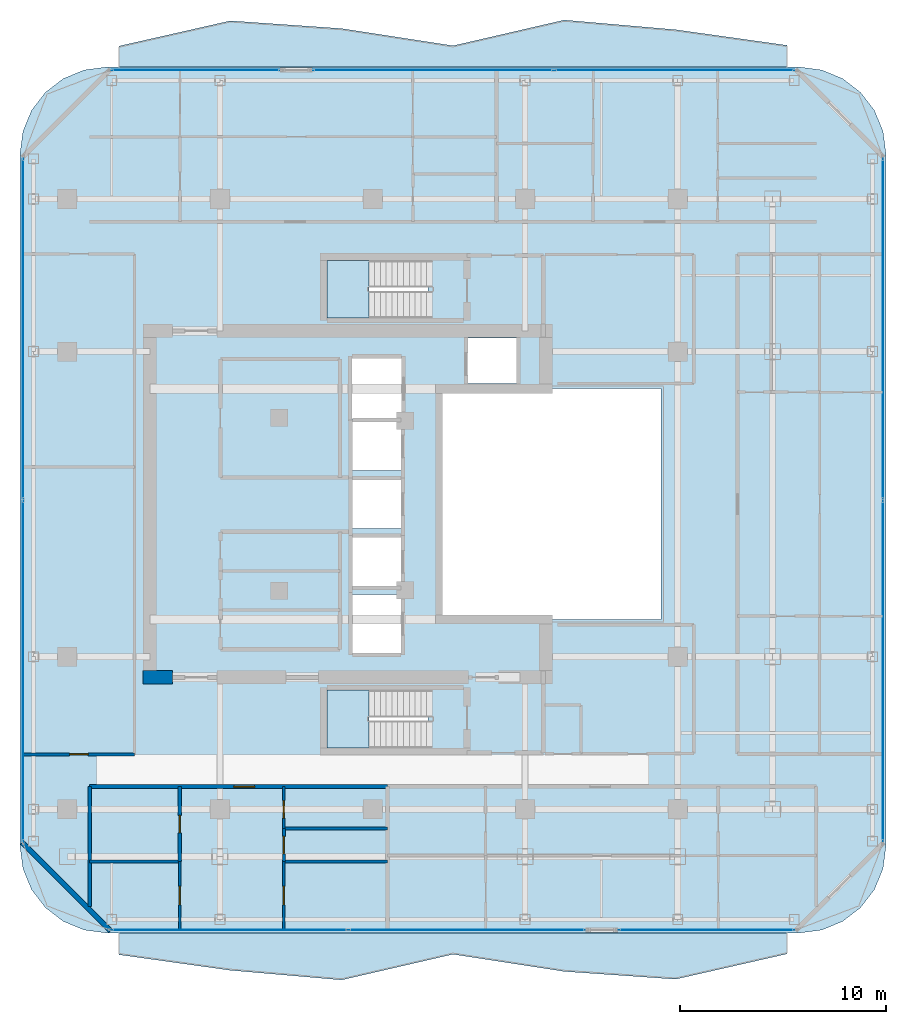
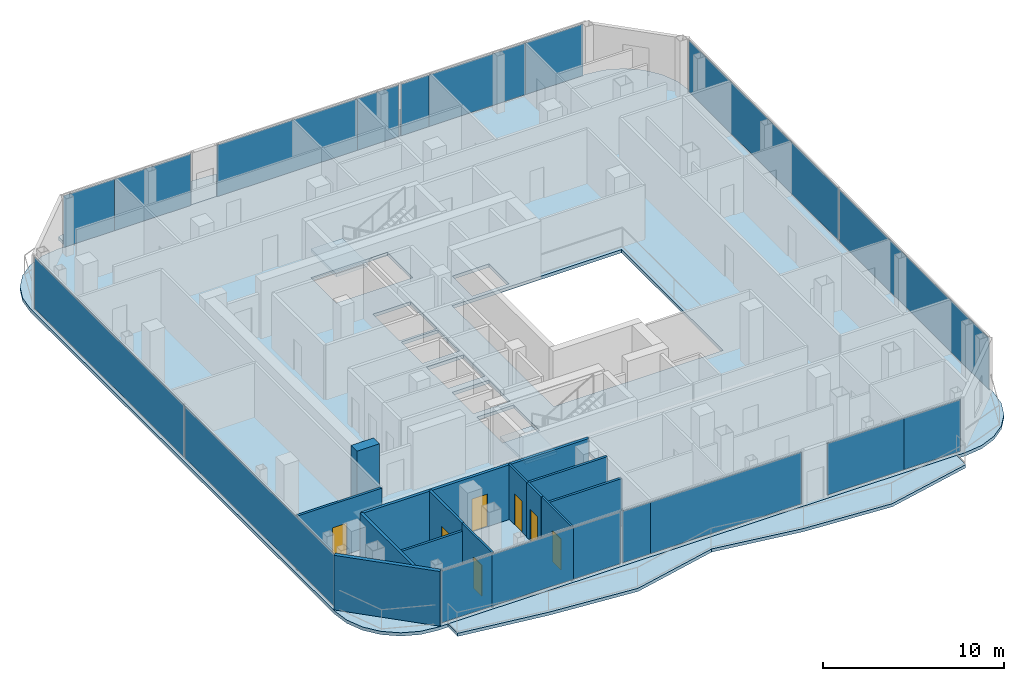
# One storey, part 15 of 22: 18 plates, 13 walls, 7 doors, 5 slabs, 7 openings, 8 elements without a shape of their own.
"""IFC4 building model written with IfcOpenShell, lengths in metres."""

import ifcopenshell
import ifcopenshell.guid

model = None  # the IFC model being written
_history = None  # IfcOwnerHistory: only IFC2X3 demands one
_inside = {}  # id of a spatial element -> (the spatial element, [elements in it])
_under = {}  # id of a project, library or spatial element -> (it, [spatial elements below it])
_declared = {}  # id of a project -> (the project, [libraries it declares])
_typed = {}  # id of a type object -> (the type object, [elements of that type])
_made_of = {}  # id of a material, layer set ... -> (it, [elements and type objects made of it])


def new_model(schema):
    """Start an empty IFC model of exactly this schema.

    Asked for "IFC4X3", IfcOpenShell would pick the latest addendum, in which some entities
    have other attributes; the version numbers below select the first issue.
    IFC2X3 requires an IfcOwnerHistory on every rooted entity: one is made here for all.
    """
    global model, _history
    if schema == "IFC4X3":
        model = ifcopenshell.file(schema_version=(4, 3, 0, 0))
    else:
        model = ifcopenshell.file(schema=schema)
    _inside.clear()
    _under.clear()
    _declared.clear()
    _typed.clear()
    _made_of.clear()
    _history = None
    if model.schema == "IFC2X3":
        org = make("IfcOrganization", Name="unknown")
        user = make(
            "IfcPersonAndOrganization",
            ThePerson=make("IfcPerson", FamilyName="unknown"),
            TheOrganization=org,
        )
        app = make(
            "IfcApplication",
            ApplicationDeveloper=org,
            Version="unknown",
            ApplicationFullName="unknown",
            ApplicationIdentifier="unknown",
        )
        _history = make(
            "IfcOwnerHistory",
            OwningUser=user,
            OwningApplication=app,
            ChangeAction="ADDED",
            CreationDate=0,
        )
    return model


def make(cls, **values):
    """One entity of the class cls with the attributes given. An attribute that is None is left unset."""
    return model.create_entity(
        cls, **{name: value for name, value in values.items() if value is not None}
    )


def rooted(cls, **values):
    """An entity with a GlobalId (a new one), such as an element, a storey or a relation."""
    return make(cls, GlobalId=ifcopenshell.guid.new(), OwnerHistory=_history, **values)


def si_unit(unit_type, name, prefix=None):
    """IfcSIUnit, for example si_unit("LENGTHUNIT", "METRE", prefix="MILLI")."""
    return make("IfcSIUnit", UnitType=unit_type, Prefix=prefix, Name=name)


def assignment(units):
    """IfcUnitAssignment: the units of a project."""
    return None if units is None else make("IfcUnitAssignment", Units=units)


def point(xyz):
    """IfcCartesianPoint."""
    return None if xyz is None else make("IfcCartesianPoint", Coordinates=xyz)


def direction(xyz):
    """IfcDirection."""
    return None if xyz is None else make("IfcDirection", DirectionRatios=xyz)


def frame(location, z_axis=None, x_axis=None):
    """IfcAxis2Placement3D, a coordinate frame: its origin and axes. An axis left out is left unset."""
    return make(
        "IfcAxis2Placement3D",
        Location=point(location),
        Axis=direction(z_axis),
        RefDirection=direction(x_axis),
    )


def frame_2d(location, x_axis=None):
    """IfcAxis2Placement2D, a coordinate frame in the plane: its origin and x axis."""
    return make(
        "IfcAxis2Placement2D", Location=point(location), RefDirection=direction(x_axis)
    )


def origin():
    """The frame at (0, 0, 0) with its axes left unset."""
    return frame((0.0, 0.0, 0.0))


def origin_2d():
    """The frame at (0, 0) in the plane with its x axis left unset."""
    return frame_2d((0.0, 0.0))


def place(relative_to, where):
    """IfcLocalPlacement: puts the frame where relative to a parent placement (None: the world)."""
    return make(
        "IfcLocalPlacement", PlacementRelTo=relative_to, RelativePlacement=where
    )


def context(
    kind, dimensions, precision=None, world=None, true_north=None, identifier=None
):
    """IfcGeometricRepresentationContext, for example the 3D "Model" context."""
    return make(
        "IfcGeometricRepresentationContext",
        ContextIdentifier=identifier,
        ContextType=kind,
        CoordinateSpaceDimension=dimensions,
        Precision=precision,
        WorldCoordinateSystem=world,
        TrueNorth=true_north,
    )


def subcontext(parent, identifier, kind, view, scale=None):
    """IfcGeometricRepresentationSubContext, for example "Body" below "Model"."""
    return make(
        "IfcGeometricRepresentationSubContext",
        ContextIdentifier=identifier,
        ContextType=kind,
        ParentContext=parent,
        TargetScale=scale,
        TargetView=view,
    )


def project(units=None, contexts=None):
    """IfcProject with its units and contexts."""
    return rooted(
        "IfcProject",
        Name="project",
        RepresentationContexts=contexts,
        UnitsInContext=assignment(units),
    )


def spatial(cls, under=None, at=None, **own):
    """A site, building, storey or space (cls), placed at a placement, below another one or the project."""
    s = rooted(cls, ObjectPlacement=at, **own)
    if under is not None:
        _under.setdefault(under.id(), (under, []))[1].append(s)
    return s


def polyline(points):
    """IfcPolyline through the points."""
    return make("IfcPolyline", Points=[point(p) for p in points])


def profile(cls, at=None, kind="AREA", **sizes):
    """A parametric profile (cls). Its sizes go by their IFC names, for example OverallWidth=200.0."""
    return make(cls, ProfileType=kind, Position=at, **sizes)


def rectangle(**sizes):
    """IfcRectangleProfileDef."""
    return profile("IfcRectangleProfileDef", **sizes)


def outline(outer, holes=None, kind="AREA"):
    """IfcArbitraryClosedProfileDef: a profile drawn as a closed curve; with holes, ...WithVoids."""
    if holes is None:
        return make("IfcArbitraryClosedProfileDef", ProfileType=kind, OuterCurve=outer)
    return make(
        "IfcArbitraryProfileDefWithVoids",
        ProfileType=kind,
        OuterCurve=outer,
        InnerCurves=holes,
    )


def extrude(swept, where, along, depth):
    """IfcExtrudedAreaSolid: the profile swept, set in the frame where, extruded along a direction by depth."""
    return make(
        "IfcExtrudedAreaSolid",
        SweptArea=swept,
        Position=where,
        ExtrudedDirection=direction(along),
        Depth=depth,
    )


def shape(context_of_items, identifier, shape_type, items):
    """IfcShapeRepresentation: the items that make up one representation, for example the "Body"."""
    return make(
        "IfcShapeRepresentation",
        ContextOfItems=context_of_items,
        RepresentationIdentifier=identifier,
        RepresentationType=shape_type,
        Items=items,
    )


def material(Name=None, Category=None):
    """IfcMaterial."""
    return make("IfcMaterial", Name=Name, Category=Category)


def layer(
    of_material, thickness, ventilated=None, Name=None, Category=None, Priority=None
):
    """IfcMaterialLayer: one layer of a wall or slab, of a material (None: an air gap)."""
    return make(
        "IfcMaterialLayer",
        Material=of_material,
        LayerThickness=thickness,
        IsVentilated=ventilated,
        Name=Name,
        Category=Category,
        Priority=Priority,
    )


def layer_set(layers, Name=None):
    """IfcMaterialLayerSet."""
    return make("IfcMaterialLayerSet", MaterialLayers=layers, LayerSetName=Name)


def made_of(thing, what):
    """Note that an element or type object is made of a material, layer set ...; save() writes the relation."""
    if what is not None:
        _made_of.setdefault(what.id(), (what, []))[1].append(thing)
    return thing


def type_object(cls, material=None, **own):
    """A type object (cls), such as IfcWallType, which elements share."""
    return made_of(rooted(cls, **own), material)


def element(
    cls,
    number,
    at=None,
    inside=None,
    cuts=None,
    type_object=None,
    material=None,
    context=None,
    identifier="Body",
    shape_type=None,
    held_by="IfcProductDefinitionShape",
    body=None,
    shapes=None,
    **own,
):
    """One element of the class cls, such as IfcWall. Its Tag is "e" and its number.

    at: its placement. inside: the storey or other place that contains it. cuts: it is an
    opening in that element (IfcRelVoidsElement). A single representation is given by context,
    identifier, shape_type and body (its items); several are given by shapes. held_by: the class
    of the entity that holds the representations. save() writes the other relations.
    """
    e = rooted(cls, Tag="e%d" % number, ObjectPlacement=at, **own)
    if body is not None:
        shapes = [shape(context, identifier, shape_type, body)]
    if shapes is not None:
        e.Representation = make(held_by, Representations=shapes)
    if inside is not None:
        _inside.setdefault(inside.id(), (inside, []))[1].append(e)
    if cuts is not None:
        rooted(
            "IfcRelVoidsElement", RelatingBuildingElement=cuts, RelatedOpeningElement=e
        )
    if type_object is not None:
        _typed.setdefault(type_object.id(), (type_object, []))[1].append(e)
    return made_of(e, material)


def fill(opening, filler):
    """IfcRelFillsElement: the door or window that sits in an opening."""
    return rooted(
        "IfcRelFillsElement",
        RelatingOpeningElement=opening,
        RelatedBuildingElement=filler,
    )


def aggregate(whole, parts):
    """IfcRelAggregates: a whole, such as a stair, and the parts it consists of."""
    return rooted("IfcRelAggregates", RelatingObject=whole, RelatedObjects=parts)


def save(model, path):
    """Write the relations noted so far, then the file.

    IfcRelAggregates (storeys below a building ...), IfcRelContainedInSpatialStructure (elements
    in a storey), IfcRelDefinesByType, IfcRelAssociatesMaterial and IfcRelDeclares: one each for
    every whole, place, type object, material and project.
    """
    for whole, parts in _under.values():
        aggregate(whole, parts)
    for where, things in _inside.values():
        rooted(
            "IfcRelContainedInSpatialStructure",
            RelatedElements=things,
            RelatingStructure=where,
        )
    for kind, things in _typed.values():
        rooted("IfcRelDefinesByType", RelatedObjects=things, RelatingType=kind)
    for what, things in _made_of.values():
        rooted("IfcRelAssociatesMaterial", RelatedObjects=things, RelatingMaterial=what)
    for by, libraries in _declared.values():
        rooted("IfcRelDeclares", RelatingContext=by, RelatedDefinitions=libraries)
    model.write(path)


model = new_model("IFC4")

# Units and contexts
model_context = context("Model", 3, precision=1e-05, world=origin(), true_north=direction((0.0, 1.0)))
body_context = subcontext(model_context, "Body", "Model", "MODEL_VIEW")
ifc_project = project(units=[si_unit("LENGTHUNIT", "METRE"), si_unit("AREAUNIT", "SQUARE_METRE"), si_unit("VOLUMEUNIT", "CUBIC_METRE"), si_unit("PLANEANGLEUNIT", "RADIAN"), si_unit("MASSUNIT", "GRAM", prefix="KILO")], contexts=[model_context])

# Site, building, storey
site_placement = place(None, origin())
site = spatial("IfcSite", under=ifc_project, at=site_placement, CompositionType="ELEMENT")
building_placement = place(site_placement, origin())
building = spatial("IfcBuilding", under=site, at=building_placement, Name="Khorvyn Point Tower", CompositionType="ELEMENT")
storey_placement = place(building_placement, frame((0.0, 0.0, 278.10009765625)))
storey = spatial("IfcBuildingStorey", under=building, at=storey_placement, Name="L68", CompositionType="ELEMENT", Elevation=278.10009765625)

# Slabs
ifc_material_1 = material(Name="Concrete C35/45", Category="concrete")
ifc_layer_1 = layer(ifc_material_1, 0.219970703125)
ifc_layer_set_1 = layer_set([ifc_layer_1], Name="Concrete C35/45 Structural Floor Slab 220")
slab_type_1 = type_object("IfcSlabType", Name="Concrete C35/45 Structural Floor Slab 220", PredefinedType="FLOOR", material=ifc_layer_set_1)
slab_1_placement = place(storey_placement, frame((0.0, 0.0, -0.22021484375)))
element("IfcSlab", 1, at=slab_1_placement, inside=storey, type_object=slab_type_1, Name="L68 Main Structural Floor Slab", PredefinedType="FLOOR", context=body_context, shape_type="SweptSolid", body=[
    extrude(outline(polyline([(-12.89990234375, -20.800048828125), (-13.987060546875, -20.656982421875), (-15.0, -20.2373046875), (-15.869873046875, -19.56982421875), (-16.537353515625, -18.699951171875), (-16.956787109375, -17.68701171875), (-17.10009765625, -16.60009765625), (-17.10009765625, 17.0), (-16.956787109375, 18.0869140625), (-16.537353515625, 19.10009765625), (-15.869873046875, 19.9697265625), (-15.0, 20.63720703125), (-13.987060546875, 21.056884765625), (-12.89990234375, 21.199951171875), (20.699951171875, 21.199951171875), (21.787109375, 21.056884765625), (22.800048828125, 20.63720703125), (23.669921875, 19.9697265625), (24.33740234375, 19.10009765625), (24.7568359375, 18.0869140625), (24.89990234375, 17.0), (24.89990234375, -16.60009765625), (24.7568359375, -17.68701171875), (24.33740234375, -18.699951171875), (23.669921875, -19.56982421875), (22.800048828125, -20.2373046875), (21.787109375, -20.656982421875), (20.699951171875, -20.800048828125), (-12.89990234375, -20.800048828125)]), holes=[polyline([(2.679931640625, -11.820068359375), (2.679931640625, -9.02001953125), (-2.199951171875, -9.02001953125), (-2.199951171875, -11.820068359375), (2.679931640625, -11.820068359375)]), polyline([(1.375, -7.22509765625), (1.375, -4.375), (-0.97509765625, -4.375), (-0.97509765625, -7.22509765625), (1.375, -7.22509765625)]), polyline([(1.375, -3.97509765625), (1.375, -1.625), (-0.97509765625, -1.625), (-0.97509765625, -3.97509765625), (1.375, -3.97509765625)]), polyline([(1.375, -1.175048828125), (1.375, 1.175048828125), (-0.97509765625, 1.175048828125), (-0.97509765625, -1.175048828125), (1.375, -1.175048828125)]), polyline([(14.0, -5.60009765625), (14.0, 5.60009765625), (3.199951171875, 5.60009765625), (3.199951171875, -5.60009765625), (14.0, -5.60009765625)]), polyline([(1.375, 1.625), (1.375, 3.97509765625), (-0.97509765625, 3.97509765625), (-0.97509765625, 1.625), (1.375, 1.625)]), polyline([(1.39990234375, 4.125), (1.39990234375, 7.074951171875), (-1.0, 7.074951171875), (-1.0, 4.125), (1.39990234375, 4.125)]), polyline([(4.625, 5.85009765625), (6.97509765625, 5.85009765625), (6.97509765625, 8.054931640625), (4.625, 8.054931640625), (4.625, 5.85009765625)]), polyline([(-2.199951171875, 9.02001953125), (2.679931640625, 9.02001953125), (2.679931640625, 11.820068359375), (-2.199951171875, 11.820068359375), (-2.199951171875, 9.02001953125)])]), origin(), (0.0, 0.0, 1.0), 0.22021484375),
])
ifc_material_2 = material(Name="Concrete C40/50", Category="concrete")
ifc_layer_2 = layer(ifc_material_2, 0.2099609375)
ifc_layer_set_2 = layer_set([ifc_layer_2], Name="Concrete C40/50 Rippling Balcony Slab 210")
slab_type_2 = type_object("IfcSlabType", Name="Concrete C40/50 Rippling Balcony Slab 210", PredefinedType="USERDEFINED", material=ifc_layer_set_2)
slab_2_placement = place(storey_placement, frame((0.0, 0.0, -0.210205078125)))
element("IfcSlab", 2, at=slab_2_placement, inside=storey, type_object=slab_type_2, Name="L68 North Sinusoidal Rippling Balcony", ObjectType="BALCONY", PredefinedType="USERDEFINED", context=body_context, shape_type="SweptSolid", body=[
    extrude(outline(polyline([(20.10009765625, 21.199951171875), (20.10009765625, 22.255126953125), (14.699951171875, 23.01220703125), (9.300048828125, 23.48095703125), (3.89990234375, 22.234130859375), (-1.5, 23.068115234375), (-6.89990234375, 23.443359375), (-12.300048828125, 22.21728515625), (-12.300048828125, 21.199951171875), (20.10009765625, 21.199951171875)])), origin(), (0.0, 0.0, 1.0), 0.210205078125),
])
slab_3_placement = place(storey_placement, frame((0.0, 0.0, -0.210205078125)))
element("IfcSlab", 3, at=slab_3_placement, inside=storey, type_object=slab_type_2, Name="L68 South Sinusoidal Rippling Balcony", ObjectType="BALCONY", PredefinedType="USERDEFINED", context=body_context, shape_type="SweptSolid", body=[
    extrude(outline(polyline([(-12.300048828125, -20.800048828125), (-12.300048828125, -21.855224609375), (-6.89990234375, -22.612060546875), (-1.5, -23.080810546875), (3.89990234375, -21.833984375), (9.300048828125, -22.668212890625), (14.699951171875, -23.04345703125), (20.10009765625, -21.817138671875), (20.10009765625, -20.800048828125), (-12.300048828125, -20.800048828125)])), origin(), (0.0, 0.0, 1.0), 0.210205078125),
])

# Stair, slab
stair_type = type_object("IfcStairType", Name="Tower Concrete C40/50 Dogleg Exit Stair", PredefinedType="HALF_TURN_STAIR", material=ifc_material_2)
stair_1_placement = place(storey_placement, origin())
stair_1 = element("IfcStair", 4, at=stair_1_placement, inside=storey, type_object=stair_type, Name="L68 Tower Smokeproof Exit Stair South", PredefinedType="HALF_TURN_STAIR")
ifc_layer_3 = layer(ifc_material_2, 0.199951171875)
ifc_layer_set_3 = layer_set([ifc_layer_3], Name="Concrete C40/50 Stair Landing Slab 200")
slab_type_3 = type_object("IfcSlabType", Name="Concrete C40/50 Stair Landing Slab 200", PredefinedType="LANDING", material=ifc_layer_set_3)
slab_4_placement = place(storey_placement, frame((0.0, 0.0, 1.75)))
slab_4 = element("IfcSlab", 5, at=slab_4_placement, type_object=slab_type_3, Name="ST-01 landing 1", PredefinedType="LANDING", context=body_context, shape_type="SweptSolid", body=[
    extrude(outline(polyline([(-0.179931640625, -9.02001953125), (-2.199951171875, -9.02001953125), (-2.199951171875, -11.820068359375), (-0.179931640625, -11.820068359375), (-0.179931640625, -9.02001953125)])), origin(), (0.0, 0.0, 1.0), 0.199951171875),
])
aggregate(stair_1, [slab_4])

stair_2_placement = place(storey_placement, origin())
stair_2 = element("IfcStair", 6, at=stair_2_placement, inside=storey, type_object=stair_type, Name="L68 Tower Smokeproof Exit Stair North", PredefinedType="HALF_TURN_STAIR")
slab_5_placement = place(storey_placement, frame((0.0, 0.0, 1.75)))
slab_5 = element("IfcSlab", 7, at=slab_5_placement, type_object=slab_type_3, Name="ST-02 landing 1", PredefinedType="LANDING", context=body_context, shape_type="SweptSolid", body=[
    extrude(outline(polyline([(-0.179931640625, 11.820068359375), (-2.199951171875, 11.820068359375), (-2.199951171875, 9.02001953125), (-0.179931640625, 9.02001953125), (-0.179931640625, 11.820068359375)])), origin(), (0.0, 0.0, 1.0), 0.199951171875),
])
aggregate(stair_2, [slab_5])

# Curtain wall, plates
ifc_material_3 = material(Name="Anodised aluminium 6063-T6 and laminated Low-E glass", Category="aluminium")
ifc_layer_4 = layer(ifc_material_3, 0.18994140625)
ifc_layer_set_4 = layer_set([ifc_layer_4], Name="Stick-Built High-Wind Curtain Wall CW-SYS-04")
curtain_wall_type = type_object("IfcCurtainWallType", Name="Stick-Built High-Wind Curtain Wall CW-SYS-04", PredefinedType="NOTDEFINED", material=ifc_layer_set_4)
curtain_wall_1_placement = place(storey_placement, origin())
curtain_wall_1 = element("IfcCurtainWall", 8, at=curtain_wall_1_placement, inside=storey, type_object=curtain_wall_type, Name="Curtain Wall", PredefinedType="NOTDEFINED")
ifc_material_4 = material(Name="Laminated Low-E insulated glass", Category="glass")
ifc_layer_5 = layer(ifc_material_4, 0.028076171875)
ifc_layer_set_5 = layer_set([ifc_layer_5], Name="Tempered Low-E Vision Glazing Panel CW-GL28")
plate_type = type_object("IfcPlateType", Name="Tempered Low-E Vision Glazing Panel CW-GL28", PredefinedType="CURTAIN_PANEL", material=ifc_layer_set_5)
plate_1_placement = place(storey_placement, frame((14.385986328125, -20.64990234375, 0.099853515625), z_axis=(0.0, 0.0, 1.0), x_axis=(-1.0, 0.0, 0.0)))
plate_1 = element("IfcPlate", 9, at=plate_1_placement, type_object=plate_type, Name="Panel", PredefinedType="CURTAIN_PANEL", context=body_context, shape_type="SweptSolid", body=[
    extrude(rectangle(XDim=4.8759765625, YDim=0.028076171875, at=origin_2d()), origin(), (0.0, 0.0, 1.0), 3.47998046875),
])
plate_2_placement = place(storey_placement, frame((18.638916015625, -20.64990234375, 0.099853515625), z_axis=(0.0, 0.0, 1.0), x_axis=(-1.0, 0.0, 0.0)))
plate_2 = element("IfcPlate", 10, at=plate_2_placement, type_object=plate_type, Name="Panel", PredefinedType="CURTAIN_PANEL", context=body_context, shape_type="SweptSolid", body=[
    extrude(rectangle(XDim=3.614013671875, YDim=0.028076171875, at=origin_2d()), origin(), (0.0, 0.0, 1.0), 3.47998046875),
])
aggregate(curtain_wall_1, [plate_1, plate_2])

curtain_wall_2_placement = place(storey_placement, origin())
curtain_wall_2 = element("IfcCurtainWall", 11, at=curtain_wall_2_placement, inside=storey, type_object=curtain_wall_type, Name="Curtain Wall", PredefinedType="NOTDEFINED")
plate_3_placement = place(storey_placement, frame((-0.2275390625, -20.64990234375, 0.099853515625), z_axis=(0.0, 0.0, 1.0), x_axis=(-1.0, 0.0, 0.0)))
plate_3 = element("IfcPlate", 12, at=plate_3_placement, type_object=plate_type, Name="Panel", PredefinedType="CURTAIN_PANEL", context=body_context, shape_type="SweptSolid", body=[
    extrude(rectangle(XDim=1.782958984375, YDim=0.028076171875, at=origin_2d()), origin(), (0.0, 0.0, 1.0), 3.47998046875),
])
plate_4_placement = place(storey_placement, frame((5.486083984375, -20.64990234375, 0.099853515625), z_axis=(0.0, 0.0, 1.0), x_axis=(-1.0, 0.0, 0.0)))
plate_4 = element("IfcPlate", 13, at=plate_4_placement, type_object=plate_type, Name="Panel", PredefinedType="CURTAIN_PANEL", context=body_context, shape_type="SweptSolid", body=[
    extrude(rectangle(XDim=9.6279296875, YDim=0.028076171875, at=origin_2d()), origin(), (0.0, 0.0, 1.0), 3.47998046875),
])
plate_5_placement = place(storey_placement, frame((-11.031494140625, -20.64990234375, 0.099853515625), z_axis=(0.0, 0.0, 1.0), x_axis=(-1.0, 0.0, 0.0)))
plate_5 = element("IfcPlate", 14, at=plate_5_placement, type_object=plate_type, Name="Panel", PredefinedType="CURTAIN_PANEL", context=body_context, shape_type="SweptSolid", body=[
    extrude(rectangle(XDim=3.22900390625, YDim=0.028076171875, at=origin_2d()), origin(), (0.0, 0.0, 1.0), 3.47998046875),
])
plate_6_placement = place(storey_placement, frame((-6.824951171875, -20.64990234375, 0.099853515625), z_axis=(0.0, 0.0, 1.0), x_axis=(-1.0, 0.0, 0.0)))
plate_6 = element("IfcPlate", 15, at=plate_6_placement, type_object=plate_type, Name="Panel", PredefinedType="CURTAIN_PANEL", context=body_context, shape_type="SweptSolid", body=[
    extrude(rectangle(XDim=5.16796875, YDim=0.028076171875, at=origin_2d()), origin(), (0.0, 0.0, 1.0), 3.47998046875),
])
plate_7_placement = place(storey_placement, frame((-2.72998046875, -20.64990234375, 0.099853515625), z_axis=(0.0, 0.0, 1.0), x_axis=(-1.0, 0.0, 0.0)))
plate_7 = element("IfcPlate", 16, at=plate_7_placement, type_object=plate_type, Name="Panel", PredefinedType="CURTAIN_PANEL", context=body_context, shape_type="SweptSolid", body=[
    extrude(rectangle(XDim=3.006103515625, YDim=0.028076171875, at=origin_2d()), origin(), (0.0, 0.0, 1.0), 3.47998046875),
])
aggregate(curtain_wall_2, [plate_3, plate_4, plate_5, plate_6, plate_7])

curtain_wall_3_placement = place(storey_placement, origin())
curtain_wall_3 = element("IfcCurtainWall", 17, at=curtain_wall_3_placement, inside=storey, type_object=curtain_wall_type, Name="Curtain Wall", PredefinedType="NOTDEFINED")
plate_8_placement = place(storey_placement, frame((-11.02490234375, 21.050048828125, 0.099853515625), z_axis=(0.0, 0.0, 1.0), x_axis=(1.0, 0.0, 0.0)))
plate_8 = element("IfcPlate", 18, at=plate_8_placement, type_object=plate_type, Name="Panel", PredefinedType="CURTAIN_PANEL", context=body_context, shape_type="SweptSolid", body=[
    extrude(rectangle(XDim=3.241943359375, YDim=0.028076171875, at=origin_2d()), origin(), (0.0, 0.0, 1.0), 3.47998046875),
])
plate_9_placement = place(storey_placement, frame((-6.95654296875, 21.050048828125, 0.099853515625), z_axis=(0.0, 0.0, 1.0), x_axis=(1.0, 0.0, 0.0)))
plate_9 = element("IfcPlate", 19, at=plate_9_placement, type_object=plate_type, Name="Panel", PredefinedType="CURTAIN_PANEL", context=body_context, shape_type="SweptSolid", body=[
    extrude(rectangle(XDim=4.87890625, YDim=0.028076171875, at=origin_2d()), origin(), (0.0, 0.0, 1.0), 3.47998046875),
])
aggregate(curtain_wall_3, [plate_8, plate_9])

curtain_wall_4_placement = place(storey_placement, origin())
curtain_wall_4 = element("IfcCurtainWall", 20, at=curtain_wall_4_placement, inside=storey, type_object=curtain_wall_type, Name="Curtain Wall", PredefinedType="NOTDEFINED")
plate_10_placement = place(storey_placement, frame((1.6005859375, 21.050048828125, 0.099853515625), z_axis=(0.0, 0.0, 1.0), x_axis=(1.0, 0.0, 0.0)))
plate_10 = element("IfcPlate", 21, at=plate_10_placement, type_object=plate_type, Name="Panel", PredefinedType="CURTAIN_PANEL", context=body_context, shape_type="SweptSolid", body=[
    extrude(rectangle(XDim=8.93896484375, YDim=0.028076171875, at=origin_2d()), origin(), (0.0, 0.0, 1.0), 3.47998046875),
])
plate_11_placement = place(storey_placement, frame((7.40625, 21.050048828125, 0.099853515625), z_axis=(0.0, 0.0, 1.0), x_axis=(1.0, 0.0, 0.0)))
plate_11 = element("IfcPlate", 22, at=plate_11_placement, type_object=plate_type, Name="Panel", PredefinedType="CURTAIN_PANEL", context=body_context, shape_type="SweptSolid", body=[
    extrude(rectangle(XDim=2.656494140625, YDim=0.028076171875, at=origin_2d()), origin(), (0.0, 0.0, 1.0), 3.47998046875),
])
plate_12_placement = place(storey_placement, frame((9.7392578125, 21.050048828125, 0.099853515625), z_axis=(0.0, 0.0, 1.0), x_axis=(1.0, 0.0, 0.0)))
plate_12 = element("IfcPlate", 23, at=plate_12_placement, type_object=plate_type, Name="Panel", PredefinedType="CURTAIN_PANEL", context=body_context, shape_type="SweptSolid", body=[
    extrude(rectangle(XDim=1.79345703125, YDim=0.028076171875, at=origin_2d()), origin(), (0.0, 0.0, 1.0), 3.47998046875),
])
plate_13_placement = place(storey_placement, frame((13.719482421875, 21.050048828125, 0.099853515625), z_axis=(0.0, 0.0, 1.0), x_axis=(1.0, 0.0, 0.0)))
plate_13 = element("IfcPlate", 24, at=plate_13_placement, type_object=plate_type, Name="Panel", PredefinedType="CURTAIN_PANEL", context=body_context, shape_type="SweptSolid", body=[
    extrude(rectangle(XDim=6.15087890625, YDim=0.028076171875, at=origin_2d()), origin(), (0.0, 0.0, 1.0), 3.47998046875),
])
plate_14_placement = place(storey_placement, frame((18.62451171875, 21.050048828125, 0.099853515625), z_axis=(0.0, 0.0, 1.0), x_axis=(1.0, 0.0, 0.0)))
plate_14 = element("IfcPlate", 25, at=plate_14_placement, type_object=plate_type, Name="Panel", PredefinedType="CURTAIN_PANEL", context=body_context, shape_type="SweptSolid", body=[
    extrude(rectangle(XDim=3.64306640625, YDim=0.028076171875, at=origin_2d()), origin(), (0.0, 0.0, 1.0), 3.47998046875),
])
aggregate(curtain_wall_4, [plate_10, plate_11, plate_12, plate_13, plate_14])

curtain_wall_5_placement = place(storey_placement, origin())
curtain_wall_5 = element("IfcCurtainWall", 26, at=curtain_wall_5_placement, inside=storey, type_object=curtain_wall_type, Name="Curtain Wall", PredefinedType="NOTDEFINED")
plate_15_placement = place(storey_placement, frame((-16.949951171875, -8.10009765625, 0.099853515625), z_axis=(0.0, 0.0, 1.0), x_axis=(0.0, 1.0, 0.0)))
plate_15 = element("IfcPlate", 27, at=plate_15_placement, type_object=plate_type, Name="Panel", PredefinedType="CURTAIN_PANEL", context=body_context, shape_type="SweptSolid", body=[
    extrude(rectangle(XDim=16.5, YDim=0.028076171875, at=origin_2d()), origin(), (0.0, 0.0, 1.0), 3.47998046875),
])
plate_16_placement = place(storey_placement, frame((-16.949951171875, 8.5, 0.099853515625), z_axis=(0.0, 0.0, 1.0), x_axis=(0.0, 1.0, 0.0)))
plate_16 = element("IfcPlate", 28, at=plate_16_placement, type_object=plate_type, Name="Panel", PredefinedType="CURTAIN_PANEL", context=body_context, shape_type="SweptSolid", body=[
    extrude(rectangle(XDim=16.5, YDim=0.028076171875, at=origin_2d()), origin(), (0.0, 0.0, 1.0), 3.47998046875),
])
aggregate(curtain_wall_5, [plate_15, plate_16])

curtain_wall_6_placement = place(storey_placement, origin())
curtain_wall_6 = element("IfcCurtainWall", 29, at=curtain_wall_6_placement, inside=storey, type_object=curtain_wall_type, Name="Curtain Wall", PredefinedType="NOTDEFINED")
plate_17_placement = place(storey_placement, frame((24.75, 8.5, 0.099853515625), z_axis=(0.0, 0.0, 1.0), x_axis=(0.0, -1.0, 0.0)))
plate_17 = element("IfcPlate", 30, at=plate_17_placement, type_object=plate_type, Name="Panel", PredefinedType="CURTAIN_PANEL", context=body_context, shape_type="SweptSolid", body=[
    extrude(rectangle(XDim=16.5, YDim=0.028076171875, at=origin_2d()), origin(), (0.0, 0.0, 1.0), 3.47998046875),
])
plate_18_placement = place(storey_placement, frame((24.75, -8.10009765625, 0.099853515625), z_axis=(0.0, 0.0, 1.0), x_axis=(0.0, -1.0, 0.0)))
plate_18 = element("IfcPlate", 31, at=plate_18_placement, type_object=plate_type, Name="Panel", PredefinedType="CURTAIN_PANEL", context=body_context, shape_type="SweptSolid", body=[
    extrude(rectangle(XDim=16.5, YDim=0.028076171875, at=origin_2d()), origin(), (0.0, 0.0, 1.0), 3.47998046875),
])
aggregate(curtain_wall_6, [plate_17, plate_18])

# Wall, opening, door
ifc_material_5 = material(Name="Double acoustic gypsum on twin steel stud", Category="steel")
ifc_layer_6 = layer(ifc_material_5, 0.179931640625)
ifc_layer_set_6 = layer_set([ifc_layer_6], Name="Acoustic Double-Stud Apartment Demising Wall 180")
wall_type_1 = type_object("IfcWallType", Name="Acoustic Double-Stud Apartment Demising Wall 180", PredefinedType="PARTITIONING", material=ifc_layer_set_6)
wall_1_placement = place(storey_placement, frame((-13.719970703125, -13.699951171875, 0.0), z_axis=(0.0, 0.0, 1.0), x_axis=(1.0, 0.0, 0.0)))
wall_1 = element("IfcWall", 32, at=wall_1_placement, inside=storey, type_object=wall_type_1, Name="Wall", PredefinedType="PARTITIONING", context=body_context, shape_type="SweptSolid", body=[
    extrude(rectangle(XDim=14.447998046875, YDim=0.179931640625, at=frame_2d((7.22412109375, 0.0))), origin(), (0.0, 0.0, 1.0), 3.679931640625),
])
opening_1_placement = place(wall_1_placement, frame((6.993896484375, 0.0, 0.0)))
opening_1 = element("IfcOpeningElement", 33, at=opening_1_placement, cuts=wall_1, Name="Opening ID-AP60", PredefinedType="OPENING", context=body_context, shape_type="SweptSolid", body=[
    extrude(rectangle(XDim=1.0, YDim=2.199951171875, at=frame_2d((0.5, 1.10009765625))), frame((0.0, 0.099853515625, 0.0), z_axis=(0.0, -1.0, 0.0), x_axis=(1.0, 0.0, 0.0)), (0.0, 0.0, 1.0), 0.199951171875),
])
ifc_material_6 = material(Name="Engineered hardwood fire-rated leaf", Category="wood")
door_type_1 = type_object("IfcDoorType", Name="Acoustic Solid-Core Timber Apartment Entrance Door 1000x2200", OperationType="NOTDEFINED", PredefinedType="DOOR", material=ifc_material_6)
door_1_placement = place(opening_1_placement, origin())
door_1 = element("IfcDoor", 34, at=door_1_placement, inside=storey, type_object=door_type_1, Name="Door", OperationType="SINGLE_SWING_RIGHT", OverallHeight=2.199951171875, OverallWidth=1.0, PredefinedType="DOOR", context=body_context, shape_type="SweptSolid", body=[
    extrude(rectangle(XDim=1.0, YDim=2.199951171875, at=frame_2d((0.5, 1.10009765625))), frame((0.0, 0.02490234375, 0.0), z_axis=(0.0, -1.0, 0.0), x_axis=(1.0, 0.0, 0.0)), (0.0, 0.0, 1.0), 0.050048828125),
])
fill(opening_1, door_1)

# Walls
wall_2_placement = place(storey_placement, frame((-13.719970703125, -19.510009765625, 0.0), z_axis=(0.0, 0.0, 1.0), x_axis=(0.0, 1.0, 0.0)))
element("IfcWall", 35, at=wall_2_placement, inside=storey, type_object=wall_type_1, Name="Wall", PredefinedType="PARTITIONING", context=body_context, shape_type="SweptSolid", body=[
    extrude(rectangle(XDim=5.81005859375, YDim=0.179931640625, at=frame_2d((2.905029296875, 0.0))), origin(), (0.0, 0.0, 1.0), 3.679931640625),
])
ifc_material_7 = material(Name="Pale anodised aluminium rainscreen on steel stud", Category="steel")
ifc_layer_7 = layer(ifc_material_7, 0.239990234375)
ifc_layer_set_7 = layer_set([ifc_layer_7], Name="Anodised Aluminium Insulated Corner Spandrel Wall 240")
wall_type_2 = type_object("IfcWallType", Name="Anodised Aluminium Insulated Corner Spandrel Wall 240", PredefinedType="SOLIDWALL", material=ifc_layer_set_7)
wall_3_placement = place(storey_placement, frame((-12.70751953125, -20.6923828125, 0.0), z_axis=(0.0, 0.0, 1.0), x_axis=(-0.707126925818, 0.707086635981, 0.0)))
element("IfcWall", 36, at=wall_3_placement, inside=storey, type_object=wall_type_2, Name="L68 Rounded Corner Wall SW", PredefinedType="SOLIDWALL", context=body_context, shape_type="SweptSolid", body=[
    extrude(rectangle(XDim=6.0595703125, YDim=0.239990234375, at=frame_2d((3.02978515625, 0.0))), origin(), (0.0, 0.0, 1.0), 3.679931640625),
])
ifc_layer_8 = layer(ifc_material_2, 0.64990234375)
ifc_layer_set_8 = layer_set([ifc_layer_8], Name="Concrete C40/50 Core Shear Wall 650")
wall_type_3 = type_object("IfcWallType", Name="Concrete C40/50 Core Shear Wall 650", PredefinedType="SHEAR", material=ifc_layer_set_8)
wall_4_placement = place(storey_placement, frame((-11.125, -8.39990234375, 0.0), z_axis=(0.0, 0.0, 1.0), x_axis=(1.0, 0.0, 0.0)))
element("IfcWall", 37, at=wall_4_placement, inside=storey, type_object=wall_type_3, Name="Wall", PredefinedType="SHEAR", context=body_context, shape_type="SweptSolid", body=[
    extrude(rectangle(XDim=1.425048828125, YDim=0.64990234375, at=frame_2d((0.71240234375, 0.0))), origin(), (0.0, 0.0, 1.0), 3.89990234375),
])

# Wall, opening, door
ifc_material_8 = material(Name="Gypsum plasterboard on steel stud", Category="steel")
ifc_layer_9 = layer(ifc_material_8, 0.1201171875)
ifc_layer_set_9 = layer_set([ifc_layer_9], Name="Gypsum Acoustic Stud Room Partition Wall 120")
wall_type_4 = type_object("IfcWallType", Name="Gypsum Acoustic Stud Room Partition Wall 120", PredefinedType="PARTITIONING", material=ifc_layer_set_9)
wall_5_placement = place(storey_placement, frame((-9.35302734375, -20.6298828125, 0.0), z_axis=(0.0, 0.0, 1.0), x_axis=(0.0, 1.0, 0.0)))
wall_5 = element("IfcWall", 38, at=wall_5_placement, inside=storey, type_object=wall_type_4, Name="Wall", PredefinedType="PARTITIONING", context=body_context, shape_type="SweptSolid", body=[
    extrude(rectangle(XDim=3.286865234375, YDim=0.1201171875, at=frame_2d((1.6435546875, 0.0))), origin(), (0.0, 0.0, 1.0), 3.679931640625),
])
opening_2_placement = place(wall_5_placement, frame((1.193603515625, 0.0, 0.0)))
opening_2 = element("IfcOpeningElement", 39, at=opening_2_placement, cuts=wall_5, Name="Opening ID-RM90", PredefinedType="OPENING", context=body_context, shape_type="SweptSolid", body=[
    extrude(rectangle(XDim=0.89990234375, YDim=2.10009765625, at=frame_2d((0.449951171875, 1.050048828125))), frame((0.0, 0.070068359375, 0.0), z_axis=(0.0, -1.0, 0.0), x_axis=(1.0, 0.0, 0.0)), (0.0, 0.0, 1.0), 0.14013671875),
])
ifc_material_9 = material(Name="Engineered oak veneer timber", Category="wood")
door_type_2 = type_object("IfcDoorType", Name="Flush Engineered Timber Room Door 900x2100", OperationType="NOTDEFINED", PredefinedType="DOOR", material=ifc_material_9)
door_2_placement = place(opening_2_placement, origin())
door_2 = element("IfcDoor", 40, at=door_2_placement, inside=storey, type_object=door_type_2, Name="Door", OperationType="SINGLE_SWING_RIGHT", OverallHeight=2.10009765625, OverallWidth=0.89990234375, PredefinedType="DOOR", context=body_context, shape_type="SweptSolid", body=[
    extrude(rectangle(XDim=0.89990234375, YDim=2.10009765625, at=frame_2d((0.449951171875, 1.050048828125))), frame((0.0, 0.02490234375, 0.0), z_axis=(0.0, -1.0, 0.0), x_axis=(1.0, 0.0, 0.0)), (0.0, 0.0, 1.0), 0.050048828125),
])
fill(opening_2, door_2)

wall_6_placement = place(storey_placement, frame((-4.297119140625, -15.739990234375, 0.0), z_axis=(0.0, 0.0, 1.0), x_axis=(0.0, 1.0, 0.0)))
wall_6 = element("IfcWall", 41, at=wall_6_placement, inside=storey, type_object=wall_type_4, Name="Wall", PredefinedType="PARTITIONING", context=body_context, shape_type="SweptSolid", body=[
    extrude(rectangle(XDim=2.0400390625, YDim=0.1201171875, at=frame_2d((1.02001953125, 0.0))), origin(), (0.0, 0.0, 1.0), 3.679931640625),
])
opening_3_placement = place(wall_6_placement, frame((0.508056640625, 0.0, 0.0)))
opening_3 = element("IfcOpeningElement", 42, at=opening_3_placement, cuts=wall_6, Name="Opening ID-WC85", PredefinedType="OPENING", context=body_context, shape_type="SweptSolid", body=[
    extrude(rectangle(XDim=0.85009765625, YDim=2.10009765625, at=frame_2d((0.425048828125, 1.050048828125))), frame((0.0, 0.070068359375, 0.0), z_axis=(0.0, -1.0, 0.0), x_axis=(1.0, 0.0, 0.0)), (0.0, 0.0, 1.0), 0.14013671875),
])
ifc_material_10 = material(Name="High-pressure laminate on moisture-resistant core", Category="wood")
door_type_3 = type_object("IfcDoorType", Name="Moisture-Resistant Accessible Washroom Door 850x2100", OperationType="NOTDEFINED", PredefinedType="DOOR", material=ifc_material_10)
door_3_placement = place(opening_3_placement, origin())
door_3 = element("IfcDoor", 43, at=door_3_placement, inside=storey, type_object=door_type_3, Name="Door", OperationType="SINGLE_SWING_RIGHT", OverallHeight=2.10009765625, OverallWidth=0.85009765625, PredefinedType="DOOR", context=body_context, shape_type="SweptSolid", body=[
    extrude(rectangle(XDim=0.85009765625, YDim=2.10009765625, at=frame_2d((0.425048828125, 1.050048828125))), frame((0.0, 0.02490234375, 0.0), z_axis=(0.0, -1.0, 0.0), x_axis=(1.0, 0.0, 0.0)), (0.0, 0.0, 1.0), 0.050048828125),
])
fill(opening_3, door_3)

wall_7_placement = place(storey_placement, frame((-4.297119140625, -20.6298828125, 0.0), z_axis=(0.0, 0.0, 1.0), x_axis=(0.0, 1.0, 0.0)))
wall_7 = element("IfcWall", 44, at=wall_7_placement, inside=storey, type_object=wall_type_4, Name="Wall", PredefinedType="PARTITIONING", context=body_context, shape_type="SweptSolid", body=[
    extrude(rectangle(XDim=3.286865234375, YDim=0.1201171875, at=frame_2d((1.6435546875, 0.0))), origin(), (0.0, 0.0, 1.0), 3.679931640625),
])
opening_4_placement = place(wall_7_placement, frame((1.193603515625, 0.0, 0.0)))
opening_4 = element("IfcOpeningElement", 45, at=opening_4_placement, cuts=wall_7, Name="Opening ID-RM90", PredefinedType="OPENING", context=body_context, shape_type="SweptSolid", body=[
    extrude(rectangle(XDim=0.89990234375, YDim=2.10009765625, at=frame_2d((0.449951171875, 1.050048828125))), frame((0.0, 0.070068359375, 0.0), z_axis=(0.0, -1.0, 0.0), x_axis=(1.0, 0.0, 0.0)), (0.0, 0.0, 1.0), 0.14013671875),
])
door_4_placement = place(opening_4_placement, origin())
door_4 = element("IfcDoor", 46, at=door_4_placement, inside=storey, type_object=door_type_2, Name="Door", OperationType="SINGLE_SWING_LEFT", OverallHeight=2.10009765625, OverallWidth=0.89990234375, PredefinedType="DOOR", context=body_context, shape_type="SweptSolid", body=[
    extrude(rectangle(XDim=0.89990234375, YDim=2.10009765625, at=frame_2d((0.449951171875, 1.050048828125))), frame((0.0, 0.02490234375, 0.0), z_axis=(0.0, -1.0, 0.0), x_axis=(1.0, 0.0, 0.0)), (0.0, 0.0, 1.0), 0.050048828125),
])
fill(opening_4, door_4)

ifc_material_11 = material(Name="Moisture-resistant gypsum and cement board", Category="gypsum")
ifc_layer_10 = layer(ifc_material_11, 0.14990234375)
ifc_layer_set_10 = layer_set([ifc_layer_10], Name="Moisture-Resistant Wet-Room Partition Wall 150")
wall_type_5 = type_object("IfcWallType", Name="Moisture-Resistant Wet-Room Partition Wall 150", PredefinedType="PARTITIONING", material=ifc_layer_set_10)
wall_8_placement = place(storey_placement, frame((-9.35302734375, -17.343017578125, 0.0), z_axis=(0.0, 0.0, 1.0), x_axis=(0.0, 1.0, 0.0)))
wall_8 = element("IfcWall", 47, at=wall_8_placement, inside=storey, type_object=wall_type_5, Name="Wall", PredefinedType="PARTITIONING", context=body_context, shape_type="SweptSolid", body=[
    extrude(rectangle(XDim=3.64306640625, YDim=0.14990234375, at=frame_2d((1.821533203125, 0.0))), origin(), (0.0, 0.0, 1.0), 3.679931640625),
])
opening_5_placement = place(wall_8_placement, frame((1.396484375, 0.0, 0.0)))
opening_5 = element("IfcOpeningElement", 48, at=opening_5_placement, cuts=wall_8, Name="Opening ID-WC85", PredefinedType="OPENING", context=body_context, shape_type="SweptSolid", body=[
    extrude(rectangle(XDim=0.85009765625, YDim=2.10009765625, at=frame_2d((0.425048828125, 1.050048828125))), frame((0.0, 0.0849609375, 0.0), z_axis=(0.0, -1.0, 0.0), x_axis=(1.0, 0.0, 0.0)), (0.0, 0.0, 1.0), 0.169921875),
])
door_5_placement = place(opening_5_placement, origin())
door_5 = element("IfcDoor", 49, at=door_5_placement, inside=storey, type_object=door_type_3, Name="Door", OperationType="SINGLE_SWING_LEFT", OverallHeight=2.10009765625, OverallWidth=0.85009765625, PredefinedType="DOOR", context=body_context, shape_type="SweptSolid", body=[
    extrude(rectangle(XDim=0.85009765625, YDim=2.10009765625, at=frame_2d((0.425048828125, 1.050048828125))), frame((0.0, 0.02490234375, 0.0), z_axis=(0.0, -1.0, 0.0), x_axis=(1.0, 0.0, 0.0)), (0.0, 0.0, 1.0), 0.050048828125),
])
fill(opening_5, door_5)

wall_9_placement = place(storey_placement, frame((-4.297119140625, -17.343017578125, 0.0), z_axis=(0.0, 0.0, 1.0), x_axis=(0.0, 1.0, 0.0)))
wall_9 = element("IfcWall", 50, at=wall_9_placement, inside=storey, type_object=wall_type_5, Name="Wall", PredefinedType="PARTITIONING", context=body_context, shape_type="SweptSolid", body=[
    extrude(rectangle(XDim=1.60302734375, YDim=0.14990234375, at=frame_2d((0.801513671875, 0.0))), origin(), (0.0, 0.0, 1.0), 3.679931640625),
])
opening_6_placement = place(wall_9_placement, frame((0.37646484375, 0.0, 0.0)))
opening_6 = element("IfcOpeningElement", 51, at=opening_6_placement, cuts=wall_9, Name="Opening ID-WC85", PredefinedType="OPENING", context=body_context, shape_type="SweptSolid", body=[
    extrude(rectangle(XDim=0.85009765625, YDim=2.10009765625, at=frame_2d((0.425048828125, 1.050048828125))), frame((0.0, 0.0849609375, 0.0), z_axis=(0.0, -1.0, 0.0), x_axis=(1.0, 0.0, 0.0)), (0.0, 0.0, 1.0), 0.169921875),
])
door_6_placement = place(opening_6_placement, origin())
door_6 = element("IfcDoor", 52, at=door_6_placement, inside=storey, type_object=door_type_3, Name="Door", OperationType="SINGLE_SWING_LEFT", OverallHeight=2.10009765625, OverallWidth=0.85009765625, PredefinedType="DOOR", context=body_context, shape_type="SweptSolid", body=[
    extrude(rectangle(XDim=0.85009765625, YDim=2.10009765625, at=frame_2d((0.425048828125, 1.050048828125))), frame((0.0, 0.02490234375, 0.0), z_axis=(0.0, -1.0, 0.0), x_axis=(1.0, 0.0, 0.0)), (0.0, 0.0, 1.0), 0.050048828125),
])
fill(opening_6, door_6)

wall_10_placement = place(storey_placement, frame((-16.929931640625, -12.139892578125, 0.0), z_axis=(0.0, 0.0, 1.0), x_axis=(1.0, 0.0, 0.0)))
wall_10 = element("IfcWall", 53, at=wall_10_placement, inside=storey, type_object=wall_type_5, Name="Wall", PredefinedType="PARTITIONING", context=body_context, shape_type="SweptSolid", body=[
    extrude(rectangle(XDim=5.3798828125, YDim=0.14990234375, at=frame_2d((2.68994140625, 0.0))), origin(), (0.0, 0.0, 1.0), 3.679931640625),
])
opening_7_placement = place(wall_10_placement, frame((2.239990234375, 0.0, 0.0)))
opening_7 = element("IfcOpeningElement", 54, at=opening_7_placement, cuts=wall_10, Name="Opening ID-RM90", PredefinedType="OPENING", context=body_context, shape_type="SweptSolid", body=[
    extrude(rectangle(XDim=0.89990234375, YDim=2.10009765625, at=frame_2d((0.449951171875, 1.050048828125))), frame((0.0, 0.0849609375, 0.0), z_axis=(0.0, -1.0, 0.0), x_axis=(1.0, 0.0, 0.0)), (0.0, 0.0, 1.0), 0.169921875),
])
door_7_placement = place(opening_7_placement, origin())
door_7 = element("IfcDoor", 55, at=door_7_placement, inside=storey, type_object=door_type_2, Name="Door", OperationType="SINGLE_SWING_RIGHT", OverallHeight=2.10009765625, OverallWidth=0.89990234375, PredefinedType="DOOR", context=body_context, shape_type="SweptSolid", body=[
    extrude(rectangle(XDim=0.89990234375, YDim=2.10009765625, at=frame_2d((0.449951171875, 1.050048828125))), frame((0.0, 0.02490234375, 0.0), z_axis=(0.0, -1.0, 0.0), x_axis=(1.0, 0.0, 0.0)), (0.0, 0.0, 1.0), 0.050048828125),
])
fill(opening_7, door_7)

# Walls
wall_11_placement = place(storey_placement, frame((-13.719970703125, -17.343017578125, 0.0), z_axis=(0.0, 0.0, 1.0), x_axis=(1.0, 0.0, 0.0)))
element("IfcWall", 56, at=wall_11_placement, inside=storey, type_object=wall_type_5, Name="Wall", PredefinedType="PARTITIONING", context=body_context, shape_type="SweptSolid", body=[
    extrude(rectangle(XDim=4.366943359375, YDim=0.14990234375, at=frame_2d((2.18359375, 0.0))), origin(), (0.0, 0.0, 1.0), 3.181884765625),
])
wall_12_placement = place(storey_placement, frame((-4.297119140625, -15.739990234375, 0.0), z_axis=(0.0, 0.0, 1.0), x_axis=(1.0, 0.0, 0.0)))
element("IfcWall", 57, at=wall_12_placement, inside=storey, type_object=wall_type_5, Name="Wall", PredefinedType="PARTITIONING", context=body_context, shape_type="SweptSolid", body=[
    extrude(rectangle(XDim=5.025146484375, YDim=0.14990234375, at=frame_2d((2.5126953125, 0.0))), origin(), (0.0, 0.0, 1.0), 3.679931640625),
])
wall_13_placement = place(storey_placement, frame((-4.297119140625, -17.343017578125, 0.0), z_axis=(0.0, 0.0, 1.0), x_axis=(1.0, 0.0, 0.0)))
element("IfcWall", 58, at=wall_13_placement, inside=storey, type_object=wall_type_5, Name="Wall", PredefinedType="PARTITIONING", context=body_context, shape_type="SweptSolid", body=[
    extrude(rectangle(XDim=5.025146484375, YDim=0.14990234375, at=frame_2d((2.5126953125, 0.0))), origin(), (0.0, 0.0, 1.0), 3.181884765625),
])

save(model, "model.ifc")
